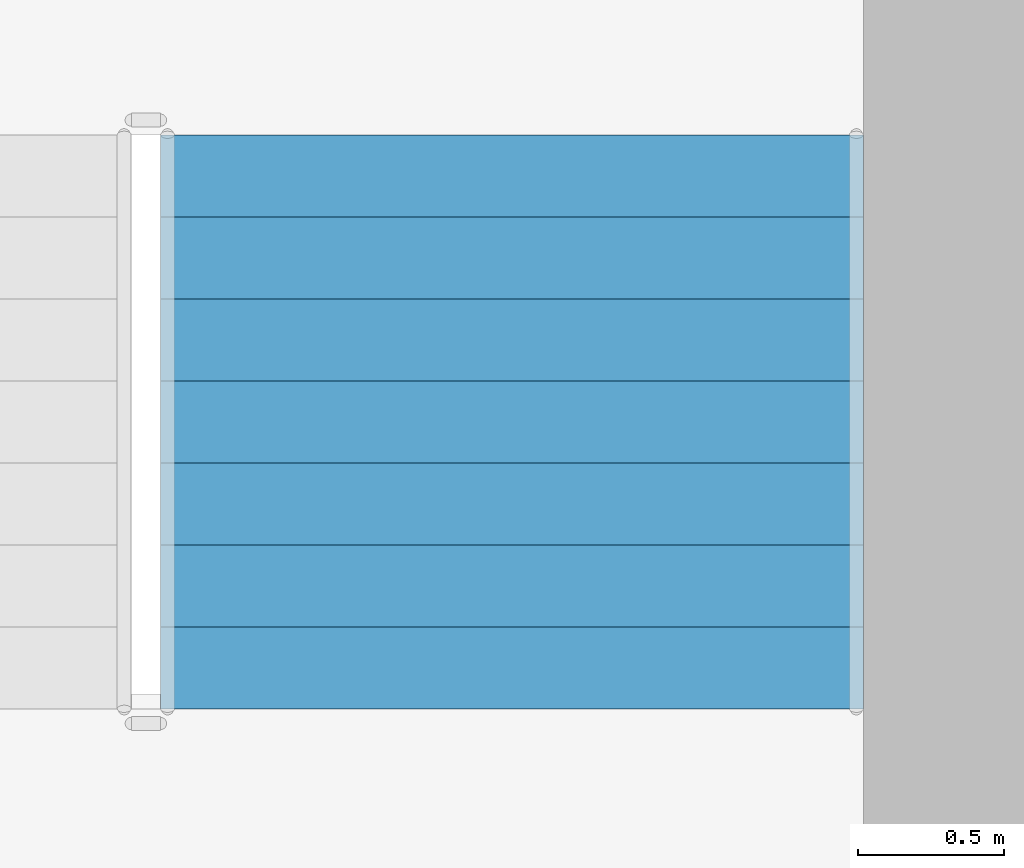
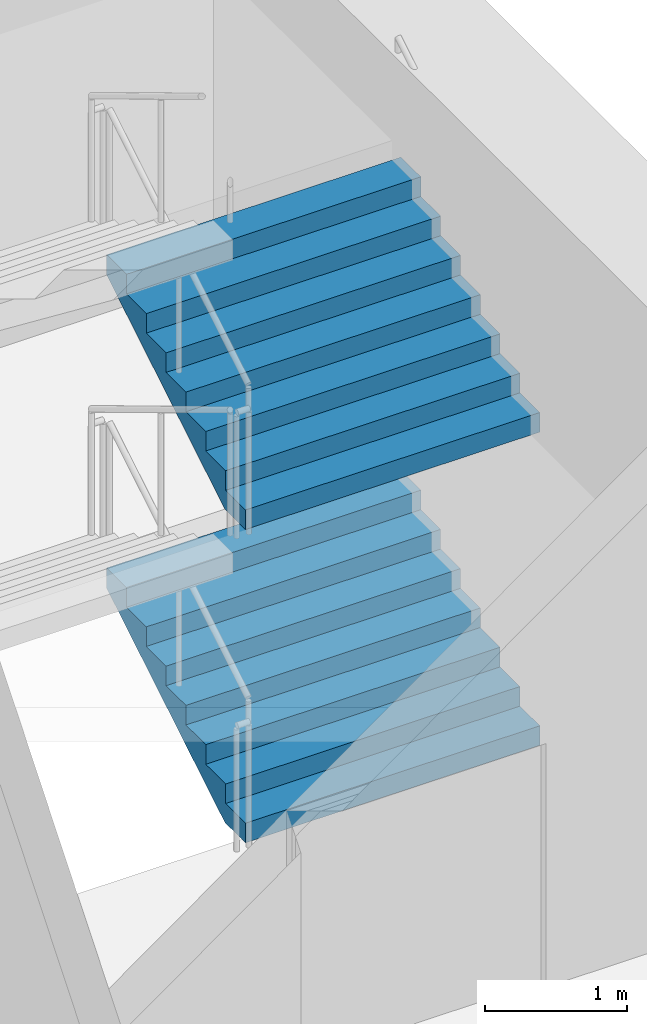
# One storey, part 72 of 101: 2 stair flights, 1 element without a shape of its own.
"""IFC4 building model written with IfcOpenShell, lengths in metres."""

from ifc_helpers import new_model, si_unit, direction, frame, origin, place, context, subcontext, project, spatial, triangles, material, type_object, element, aggregate, save


model = new_model("IFC4")

# Units and contexts
model_context = context("Model", 3, precision=1e-05, world=origin(), true_north=direction((0.0, 1.0)))
body_context = subcontext(model_context, "Body", "Model", "MODEL_VIEW")
ifc_project = project(units=[si_unit("LENGTHUNIT", "METRE"), si_unit("AREAUNIT", "SQUARE_METRE"), si_unit("VOLUMEUNIT", "CUBIC_METRE"), si_unit("PLANEANGLEUNIT", "RADIAN"), si_unit("MASSUNIT", "GRAM", prefix="KILO")], contexts=[model_context])

# Site, building, storey
site_placement = place(None, origin())
site = spatial("IfcSite", under=ifc_project, at=site_placement, CompositionType="ELEMENT")
building_placement = place(site_placement, origin())
building = spatial("IfcBuilding", under=site, at=building_placement, Name="Magnolia Steps Interchange", CompositionType="ELEMENT")
storey_placement = place(building_placement, frame((0.0, 0.0, -5.39990234375)))
storey = spatial("IfcBuildingStorey", under=building, at=storey_placement, Name="B1", CompositionType="ELEMENT", Elevation=-5.39990234375)

# Stair, stair flights
ifc_material_1 = material(Name="Concrete C40", Category="concrete")
stair_type = type_object("IfcStairType", Name="Exit stair 2400", PredefinedType="HALF_TURN_STAIR", material=ifc_material_1)
stair_placement = place(storey_placement, origin())
stair = element("IfcStair", 1, at=stair_placement, inside=storey, type_object=stair_type, Name="B1 Stair 16", PredefinedType="HALF_TURN_STAIR")
ifc_material_2 = material(Name="Concrete C40", Category="concrete")
stair_flight_type = type_object("IfcStairFlightType", Name="Exit stair flight", PredefinedType="STRAIGHT", material=ifc_material_2)
stair_flight_1_placement = place(storey_placement, frame((181.22509765625, 69.875, 0.0), z_axis=(0.0, 0.0, 1.0), x_axis=(0.0, 1.0, 0.0)))
stair_flight_1 = element("IfcStairFlight", 2, at=stair_flight_1_placement, type_object=stair_flight_type, Name="Stair 16 flight 1", NumberOfRisers=8, NumberOfTreads=7, PredefinedType="STRAIGHT", RiserHeight=0.16875, TreadLength=0.28, context=body_context, shape_type="Tessellation", body=[
    triangles([(0.0, -1.199951171875, 0.0), (0.29052734375, -1.199951171875, 0.0), (1.9599609375, -1.199951171875, 1.00634765625), (1.9599609375, -1.199951171875, 1.18115234375), (1.679931640625, -1.199951171875, 1.18115234375), (1.679931640625, -1.199951171875, 1.012451171875), (1.39990234375, -1.199951171875, 1.012451171875), (1.39990234375, -1.199951171875, 0.84375), (1.1201171875, -1.199951171875, 0.84375), (1.1201171875, -1.199951171875, 0.675048828125), (0.840087890625, -1.199951171875, 0.675048828125), (0.840087890625, -1.199951171875, 0.50634765625), (0.56005859375, -1.199951171875, 0.50634765625), (0.56005859375, -1.199951171875, 0.33740234375), (0.280029296875, -1.199951171875, 0.33740234375), (0.280029296875, -1.199951171875, 0.168701171875), (0.0, -1.199951171875, 0.168701171875), (0.0, 1.199951171875, 0.0), (0.29052734375, 1.199951171875, 0.0), (1.9599609375, 1.199951171875, 1.00634765625), (1.9599609375, 1.199951171875, 1.18115234375), (1.679931640625, 1.199951171875, 1.18115234375), (1.679931640625, 1.199951171875, 1.012451171875), (1.39990234375, 1.199951171875, 1.012451171875), (1.39990234375, 1.199951171875, 0.84375), (1.1201171875, 1.199951171875, 0.84375), (1.1201171875, 1.199951171875, 0.675048828125), (0.840087890625, 1.199951171875, 0.675048828125), (0.840087890625, 1.199951171875, 0.50634765625), (0.56005859375, 1.199951171875, 0.50634765625), (0.56005859375, 1.199951171875, 0.33740234375), (0.280029296875, 1.199951171875, 0.33740234375), (0.280029296875, 1.199951171875, 0.168701171875), (0.0, 1.199951171875, 0.168701171875), (0.0, 0.0, 0.0), (0.0, 0.0, 0.04217529296875), (0.0, 0.0, 0.0843505859375), (0.0, 0.0, 0.12652587890625), (0.0, 0.0, 0.168701171875), (0.0, -0.05, 0.0), (0.0, -0.05, 0.168701171875), (0.0, 0.05, 0.0), (0.0, 0.05, 0.168701171875), (0.046671549479166664, 0.0, 0.168701171875), (0.09334309895833333, 0.0, 0.168701171875), (0.1400146484375, 0.0, 0.168701171875), (0.18668619791666666, 0.0, 0.168701171875), (0.23335774739583334, 0.0, 0.168701171875), (0.280029296875, 0.0, 0.168701171875), (0.280029296875, -0.05, 0.168701171875), (0.280029296875, 0.05, 0.168701171875), (0.280029296875, 0.0, 0.21087646484375), (0.280029296875, 0.0, 0.2530517578125), (0.280029296875, 0.0, 0.29522705078125), (0.280029296875, 0.0, 0.33740234375), (0.280029296875, -0.05, 0.33740234375), (0.280029296875, 0.05, 0.33740234375), (0.3267008463541667, 0.0, 0.33740234375), (0.3733723958333333, 0.0, 0.33740234375), (0.4200439453125, 0.0, 0.33740234375), (0.46671549479166663, 0.0, 0.33740234375), (0.5133870442708334, 0.0, 0.33740234375), (0.56005859375, 0.0, 0.33740234375), (0.56005859375, -0.05, 0.33740234375), (0.56005859375, 0.05, 0.33740234375), (0.56005859375, 0.0, 0.379638671875), (0.56005859375, 0.0, 0.421875), (0.56005859375, 0.0, 0.464111328125), (0.56005859375, 0.0, 0.50634765625), (0.56005859375, -0.05, 0.50634765625), (0.56005859375, 0.05, 0.50634765625), (0.6067301432291666, 0.0, 0.50634765625), (0.6534016927083334, 0.0, 0.50634765625), (0.7000732421875, 0.0, 0.50634765625), (0.7467447916666666, 0.0, 0.50634765625), (0.7934163411458334, 0.0, 0.50634765625), (0.840087890625, 0.0, 0.50634765625), (0.840087890625, -0.05, 0.50634765625), (0.840087890625, 0.05, 0.50634765625), (0.840087890625, 0.0, 0.54852294921875), (0.840087890625, 0.0, 0.5906982421875), (0.840087890625, 0.0, 0.63287353515625), (0.840087890625, 0.0, 0.675048828125), (0.840087890625, -0.05, 0.675048828125), (0.840087890625, 0.05, 0.675048828125), (0.8867594401041666, 0.0, 0.675048828125), (0.9334309895833334, 0.0, 0.675048828125), (0.9801025390625, 0.0, 0.675048828125), (1.0267740885416667, 0.0, 0.675048828125), (1.0734456380208333, 0.0, 0.675048828125), (1.1201171875, 0.0, 0.675048828125), (1.1201171875, -0.05, 0.675048828125), (1.1201171875, 0.05, 0.675048828125), (1.1201171875, 0.0, 0.71722412109375), (1.1201171875, 0.0, 0.7593994140625), (1.1201171875, 0.0, 0.80157470703125), (1.1201171875, 0.0, 0.84375), (1.1201171875, -0.05, 0.84375), (1.1201171875, 0.05, 0.84375), (1.1900634765625, 0.0, 0.84375), (1.260009765625, 0.0, 0.84375), (1.3299560546875, 0.0, 0.84375), (1.39990234375, 0.0, 0.84375), (1.39990234375, -0.05, 0.84375), (1.39990234375, 0.05, 0.84375), (1.39990234375, 0.0, 0.88592529296875), (1.39990234375, 0.0, 0.9281005859375), (1.39990234375, 0.0, 0.97027587890625), (1.39990234375, 0.0, 1.012451171875), (1.39990234375, -0.05, 1.012451171875), (1.39990234375, 0.05, 1.012451171875), (1.4465738932291667, 0.0, 1.012451171875), (1.4932454427083333, 0.0, 1.012451171875), (1.5399169921875, 0.0, 1.012451171875), (1.5865885416666667, 0.0, 1.012451171875), (1.6332600911458333, 0.0, 1.012451171875), (1.679931640625, 0.0, 1.012451171875), (1.679931640625, -0.05, 1.012451171875), (1.679931640625, 0.05, 1.012451171875), (1.679931640625, 0.0, 1.05462646484375), (1.679931640625, 0.0, 1.0968017578125), (1.679931640625, 0.0, 1.13897705078125), (1.679931640625, 0.0, 1.18115234375), (1.679931640625, -0.05, 1.18115234375), (1.679931640625, 0.05, 1.18115234375), (1.7266031901041667, 0.0, 1.18115234375), (1.7732747395833333, 0.0, 1.18115234375), (1.8199462890625, 0.0, 1.18115234375), (1.8666178385416667, 0.0, 1.18115234375), (1.9132893880208333, 0.0, 1.18115234375), (1.9599609375, 0.0, 1.18115234375), (1.9599609375, -0.05, 1.18115234375), (1.9599609375, 0.05, 1.18115234375), (1.9599609375, 0.0, 1.137451171875), (1.9599609375, 0.0, 1.09375), (1.9599609375, 0.0, 1.050048828125), (1.9599609375, 0.0, 1.00634765625), (1.9599609375, -0.05, 1.00634765625), (1.9599609375, 0.05, 1.00634765625), (1.9003383091517858, 0.0, 0.9704066685267857), (1.8407156808035714, 0.0, 0.9344656808035714), (1.7810930524553572, 0.0, 0.8985246930803571), (1.7214704241071428, 0.0, 0.8625837053571428), (1.6618477957589286, 0.0, 0.8266427176339286), (1.6022251674107144, 0.0, 0.7907017299107143), (1.5426025390625, 0.0, 0.7547607421875), (1.4829799107142856, 0.0, 0.7188197544642857), (1.4233572823660714, 0.0, 0.6828787667410714), (1.3637346540178572, 0.0, 0.6469377790178572), (1.3041120256696428, 0.0, 0.6109967912946428), (1.2444893973214286, 0.0, 0.5750558035714286), (1.1848667689732144, 0.0, 0.5391148158482143), (1.125244140625, 0.0, 0.503173828125), (1.0656215122767856, 0.0, 0.4672328404017857), (1.0059988839285714, 0.0, 0.4312918526785714), (0.9463762555803572, 0.0, 0.3953508649553571), (0.8867536272321428, 0.0, 0.3594098772321429), (0.8271309988839286, 0.0, 0.3234688895089286), (0.7675083705357142, 0.0, 0.2875279017857143), (0.7078857421875, 0.0, 0.2515869140625), (0.6482631138392858, 0.0, 0.2156459263392857), (0.5886404854910714, 0.0, 0.1797049386160714), (0.5290178571428572, 0.0, 0.1437639508928571), (0.4693952287946428, 0.0, 0.1078229631696429), (0.4097726004464286, 0.0, 0.0718819754464286), (0.3501499720982142, 0.0, 0.0359409877232143), (0.29052734375, 0.0, 0.0), (0.29052734375, -0.05, 0.0), (0.29052734375, 0.05, 0.0), (0.24210611979166666, 0.0, 0.0), (0.19368489583333331, 0.0, 0.0), (0.145263671875, 0.0, 0.0), (0.09684244791666666, 0.0, 0.0), (0.04842122395833334, 0.0, 0.0)], [[1, 2, 3], [3, 4, 5], [3, 5, 6], [3, 6, 7], [3, 7, 8], [8, 9, 10], [3, 8, 10], [10, 11, 12], [3, 10, 12], [12, 13, 14], [3, 12, 14], [14, 15, 16], [3, 14, 16], [1, 3, 16], [16, 17, 1], [18, 20, 19], [20, 22, 21], [20, 23, 22], [20, 24, 23], [20, 25, 24], [25, 27, 26], [20, 27, 25], [27, 29, 28], [20, 29, 27], [29, 31, 30], [20, 31, 29], [31, 33, 32], [20, 33, 31], [18, 33, 20], [33, 18, 34], [1, 17, 41], [1, 41, 40], [40, 36, 35], [40, 37, 36], [40, 41, 37], [41, 38, 37], [41, 39, 38], [18, 43, 34], [18, 42, 43], [42, 35, 36], [42, 36, 37], [42, 37, 43], [43, 37, 38], [43, 38, 39], [17, 16, 50], [17, 50, 41], [41, 44, 39], [41, 45, 44], [41, 46, 45], [41, 50, 46], [50, 47, 46], [50, 48, 47], [50, 49, 48], [34, 51, 33], [34, 43, 51], [43, 39, 44], [43, 44, 45], [43, 45, 46], [43, 46, 51], [51, 46, 47], [51, 47, 48], [51, 48, 49], [16, 15, 56], [16, 56, 50], [50, 52, 49], [50, 53, 52], [50, 56, 53], [56, 54, 53], [56, 55, 54], [33, 57, 32], [33, 51, 57], [51, 49, 52], [51, 52, 53], [51, 53, 57], [57, 53, 54], [57, 54, 55], [15, 14, 64], [15, 64, 56], [56, 58, 55], [56, 59, 58], [56, 60, 59], [56, 64, 60], [64, 61, 60], [64, 62, 61], [64, 63, 62], [32, 65, 31], [32, 57, 65], [57, 55, 58], [57, 58, 59], [57, 59, 60], [57, 60, 65], [65, 60, 61], [65, 61, 62], [65, 62, 63], [14, 13, 70], [14, 70, 64], [64, 66, 63], [64, 67, 66], [64, 70, 67], [70, 68, 67], [70, 69, 68], [31, 71, 30], [31, 65, 71], [65, 63, 66], [65, 66, 67], [65, 67, 71], [71, 67, 68], [71, 68, 69], [13, 12, 78], [13, 78, 70], [70, 72, 69], [70, 73, 72], [70, 74, 73], [70, 78, 74], [78, 75, 74], [78, 76, 75], [78, 77, 76], [30, 79, 29], [30, 71, 79], [71, 69, 72], [71, 72, 73], [71, 73, 74], [71, 74, 79], [79, 74, 75], [79, 75, 76], [79, 76, 77], [12, 11, 84], [12, 84, 78], [78, 80, 77], [78, 81, 80], [78, 84, 81], [84, 82, 81], [84, 83, 82], [29, 85, 28], [29, 79, 85], [79, 77, 80], [79, 80, 81], [79, 81, 85], [85, 81, 82], [85, 82, 83], [11, 10, 92], [11, 92, 84], [84, 86, 83], [84, 87, 86], [84, 88, 87], [84, 92, 88], [92, 89, 88], [92, 90, 89], [92, 91, 90], [28, 93, 27], [28, 85, 93], [85, 83, 86], [85, 86, 87], [85, 87, 88], [85, 88, 93], [93, 88, 89], [93, 89, 90], [93, 90, 91], [10, 9, 98], [10, 98, 92], [92, 94, 91], [92, 95, 94], [92, 98, 95], [98, 96, 95], [98, 97, 96], [27, 99, 26], [27, 93, 99], [93, 91, 94], [93, 94, 95], [93, 95, 99], [99, 95, 96], [99, 96, 97], [9, 8, 104], [9, 104, 98], [98, 100, 97], [98, 101, 100], [98, 104, 101], [104, 102, 101], [104, 103, 102], [26, 105, 25], [26, 99, 105], [99, 97, 100], [99, 100, 101], [99, 101, 105], [105, 101, 102], [105, 102, 103], [8, 7, 110], [8, 110, 104], [104, 106, 103], [104, 107, 106], [104, 110, 107], [110, 108, 107], [110, 109, 108], [25, 111, 24], [25, 105, 111], [105, 103, 106], [105, 106, 107], [105, 107, 111], [111, 107, 108], [111, 108, 109], [7, 6, 118], [7, 118, 110], [110, 112, 109], [110, 113, 112], [110, 114, 113], [110, 118, 114], [118, 115, 114], [118, 116, 115], [118, 117, 116], [24, 119, 23], [24, 111, 119], [111, 109, 112], [111, 112, 113], [111, 113, 114], [111, 114, 119], [119, 114, 115], [119, 115, 116], [119, 116, 117], [6, 5, 124], [6, 124, 118], [118, 120, 117], [118, 121, 120], [118, 124, 121], [124, 122, 121], [124, 123, 122], [23, 125, 22], [23, 119, 125], [119, 117, 120], [119, 120, 121], [119, 121, 125], [125, 121, 122], [125, 122, 123], [5, 4, 132], [5, 132, 124], [124, 126, 123], [124, 127, 126], [124, 128, 127], [124, 132, 128], [132, 129, 128], [132, 130, 129], [132, 131, 130], [22, 133, 21], [22, 125, 133], [125, 123, 126], [125, 126, 127], [125, 127, 128], [125, 128, 133], [133, 128, 129], [133, 129, 130], [133, 130, 131], [4, 3, 138], [4, 138, 132], [132, 134, 131], [132, 135, 134], [132, 138, 135], [138, 136, 135], [138, 137, 136], [21, 139, 20], [21, 133, 139], [133, 131, 134], [133, 134, 135], [133, 135, 139], [139, 135, 136], [139, 136, 137], [3, 2, 168], [3, 168, 138], [138, 140, 137], [138, 141, 140], [138, 142, 141], [138, 143, 142], [138, 144, 143], [138, 145, 144], [138, 146, 145], [138, 147, 146], [138, 148, 147], [138, 149, 148], [138, 150, 149], [138, 151, 150], [138, 152, 151], [138, 153, 152], [138, 168, 153], [168, 154, 153], [168, 155, 154], [168, 156, 155], [168, 157, 156], [168, 158, 157], [168, 159, 158], [168, 160, 159], [168, 161, 160], [168, 162, 161], [168, 163, 162], [168, 164, 163], [168, 165, 164], [168, 166, 165], [168, 167, 166], [20, 169, 19], [20, 139, 169], [139, 137, 140], [139, 140, 141], [139, 141, 142], [139, 142, 143], [139, 143, 144], [139, 144, 145], [139, 145, 146], [139, 146, 147], [139, 147, 148], [139, 148, 149], [139, 149, 150], [139, 150, 151], [139, 151, 152], [139, 152, 153], [139, 153, 169], [169, 153, 154], [169, 154, 155], [169, 155, 156], [169, 156, 157], [169, 157, 158], [169, 158, 159], [169, 159, 160], [169, 160, 161], [169, 161, 162], [169, 162, 163], [169, 163, 164], [169, 164, 165], [169, 165, 166], [169, 166, 167], [2, 1, 40], [2, 40, 168], [168, 170, 167], [168, 171, 170], [168, 172, 171], [168, 40, 172], [40, 173, 172], [40, 174, 173], [40, 35, 174], [19, 42, 18], [19, 169, 42], [169, 167, 170], [169, 170, 171], [169, 171, 172], [169, 172, 42], [42, 172, 173], [42, 173, 174], [42, 174, 35]], closed=True),
])
stair_flight_2_placement = place(storey_placement, frame((181.22509765625, 69.875, 2.699951171875), z_axis=(0.0, 0.0, 1.0), x_axis=(0.0, 1.0, 0.0)))
stair_flight_2 = element("IfcStairFlight", 3, at=stair_flight_2_placement, type_object=stair_flight_type, Name="Stair 16 flight 3", NumberOfRisers=8, NumberOfTreads=7, PredefinedType="STRAIGHT", RiserHeight=0.16875, TreadLength=0.28, context=body_context, shape_type="Tessellation", body=[
    triangles([(0.0, -1.199951171875, 0.0), (0.29052734375, -1.199951171875, 0.0), (1.9599609375, -1.199951171875, 1.00634765625), (1.9599609375, -1.199951171875, 1.18115234375), (1.679931640625, -1.199951171875, 1.18115234375), (1.679931640625, -1.199951171875, 1.012451171875), (1.39990234375, -1.199951171875, 1.012451171875), (1.39990234375, -1.199951171875, 0.84375), (1.1201171875, -1.199951171875, 0.84375), (1.1201171875, -1.199951171875, 0.675048828125), (0.840087890625, -1.199951171875, 0.675048828125), (0.840087890625, -1.199951171875, 0.50634765625), (0.56005859375, -1.199951171875, 0.50634765625), (0.56005859375, -1.199951171875, 0.33740234375), (0.280029296875, -1.199951171875, 0.33740234375), (0.280029296875, -1.199951171875, 0.168701171875), (0.0, -1.199951171875, 0.168701171875), (0.0, 1.199951171875, 0.0), (0.29052734375, 1.199951171875, 0.0), (1.9599609375, 1.199951171875, 1.00634765625), (1.9599609375, 1.199951171875, 1.18115234375), (1.679931640625, 1.199951171875, 1.18115234375), (1.679931640625, 1.199951171875, 1.012451171875), (1.39990234375, 1.199951171875, 1.012451171875), (1.39990234375, 1.199951171875, 0.84375), (1.1201171875, 1.199951171875, 0.84375), (1.1201171875, 1.199951171875, 0.675048828125), (0.840087890625, 1.199951171875, 0.675048828125), (0.840087890625, 1.199951171875, 0.50634765625), (0.56005859375, 1.199951171875, 0.50634765625), (0.56005859375, 1.199951171875, 0.33740234375), (0.280029296875, 1.199951171875, 0.33740234375), (0.280029296875, 1.199951171875, 0.168701171875), (0.0, 1.199951171875, 0.168701171875), (0.0, 0.0, 0.0), (0.0, 0.0, 0.04217529296875), (0.0, 0.0, 0.0843505859375), (0.0, 0.0, 0.12652587890625), (0.0, 0.0, 0.168701171875), (0.0, -0.05, 0.0), (0.0, -0.05, 0.168701171875), (0.0, 0.05, 0.0), (0.0, 0.05, 0.168701171875), (0.046671549479166664, 0.0, 0.168701171875), (0.09334309895833333, 0.0, 0.168701171875), (0.1400146484375, 0.0, 0.168701171875), (0.18668619791666666, 0.0, 0.168701171875), (0.23335774739583334, 0.0, 0.168701171875), (0.280029296875, 0.0, 0.168701171875), (0.280029296875, -0.05, 0.168701171875), (0.280029296875, 0.05, 0.168701171875), (0.280029296875, 0.0, 0.21087646484375), (0.280029296875, 0.0, 0.2530517578125), (0.280029296875, 0.0, 0.29522705078125), (0.280029296875, 0.0, 0.33740234375), (0.280029296875, -0.05, 0.33740234375), (0.280029296875, 0.05, 0.33740234375), (0.3267008463541667, 0.0, 0.33740234375), (0.3733723958333333, 0.0, 0.33740234375), (0.4200439453125, 0.0, 0.33740234375), (0.46671549479166663, 0.0, 0.33740234375), (0.5133870442708334, 0.0, 0.33740234375), (0.56005859375, 0.0, 0.33740234375), (0.56005859375, -0.05, 0.33740234375), (0.56005859375, 0.05, 0.33740234375), (0.56005859375, 0.0, 0.379638671875), (0.56005859375, 0.0, 0.421875), (0.56005859375, 0.0, 0.464111328125), (0.56005859375, 0.0, 0.50634765625), (0.56005859375, -0.05, 0.50634765625), (0.56005859375, 0.05, 0.50634765625), (0.6067301432291666, 0.0, 0.50634765625), (0.6534016927083334, 0.0, 0.50634765625), (0.7000732421875, 0.0, 0.50634765625), (0.7467447916666666, 0.0, 0.50634765625), (0.7934163411458334, 0.0, 0.50634765625), (0.840087890625, 0.0, 0.50634765625), (0.840087890625, -0.05, 0.50634765625), (0.840087890625, 0.05, 0.50634765625), (0.840087890625, 0.0, 0.54852294921875), (0.840087890625, 0.0, 0.5906982421875), (0.840087890625, 0.0, 0.63287353515625), (0.840087890625, 0.0, 0.675048828125), (0.840087890625, -0.05, 0.675048828125), (0.840087890625, 0.05, 0.675048828125), (0.8867594401041666, 0.0, 0.675048828125), (0.9334309895833334, 0.0, 0.675048828125), (0.9801025390625, 0.0, 0.675048828125), (1.0267740885416667, 0.0, 0.675048828125), (1.0734456380208333, 0.0, 0.675048828125), (1.1201171875, 0.0, 0.675048828125), (1.1201171875, -0.05, 0.675048828125), (1.1201171875, 0.05, 0.675048828125), (1.1201171875, 0.0, 0.71722412109375), (1.1201171875, 0.0, 0.7593994140625), (1.1201171875, 0.0, 0.80157470703125), (1.1201171875, 0.0, 0.84375), (1.1201171875, -0.05, 0.84375), (1.1201171875, 0.05, 0.84375), (1.1900634765625, 0.0, 0.84375), (1.260009765625, 0.0, 0.84375), (1.3299560546875, 0.0, 0.84375), (1.39990234375, 0.0, 0.84375), (1.39990234375, -0.05, 0.84375), (1.39990234375, 0.05, 0.84375), (1.39990234375, 0.0, 0.88592529296875), (1.39990234375, 0.0, 0.9281005859375), (1.39990234375, 0.0, 0.97027587890625), (1.39990234375, 0.0, 1.012451171875), (1.39990234375, -0.05, 1.012451171875), (1.39990234375, 0.05, 1.012451171875), (1.4465738932291667, 0.0, 1.012451171875), (1.4932454427083333, 0.0, 1.012451171875), (1.5399169921875, 0.0, 1.012451171875), (1.5865885416666667, 0.0, 1.012451171875), (1.6332600911458333, 0.0, 1.012451171875), (1.679931640625, 0.0, 1.012451171875), (1.679931640625, -0.05, 1.012451171875), (1.679931640625, 0.05, 1.012451171875), (1.679931640625, 0.0, 1.05462646484375), (1.679931640625, 0.0, 1.0968017578125), (1.679931640625, 0.0, 1.13897705078125), (1.679931640625, 0.0, 1.18115234375), (1.679931640625, -0.05, 1.18115234375), (1.679931640625, 0.05, 1.18115234375), (1.7266031901041667, 0.0, 1.18115234375), (1.7732747395833333, 0.0, 1.18115234375), (1.8199462890625, 0.0, 1.18115234375), (1.8666178385416667, 0.0, 1.18115234375), (1.9132893880208333, 0.0, 1.18115234375), (1.9599609375, 0.0, 1.18115234375), (1.9599609375, -0.05, 1.18115234375), (1.9599609375, 0.05, 1.18115234375), (1.9599609375, 0.0, 1.137451171875), (1.9599609375, 0.0, 1.09375), (1.9599609375, 0.0, 1.050048828125), (1.9599609375, 0.0, 1.00634765625), (1.9599609375, -0.05, 1.00634765625), (1.9599609375, 0.05, 1.00634765625), (1.9003383091517858, 0.0, 0.9704066685267857), (1.8407156808035714, 0.0, 0.9344656808035714), (1.7810930524553572, 0.0, 0.8985246930803571), (1.7214704241071428, 0.0, 0.8625837053571428), (1.6618477957589286, 0.0, 0.8266427176339286), (1.6022251674107144, 0.0, 0.7907017299107143), (1.5426025390625, 0.0, 0.7547607421875), (1.4829799107142856, 0.0, 0.7188197544642857), (1.4233572823660714, 0.0, 0.6828787667410714), (1.3637346540178572, 0.0, 0.6469377790178572), (1.3041120256696428, 0.0, 0.6109967912946428), (1.2444893973214286, 0.0, 0.5750558035714286), (1.1848667689732144, 0.0, 0.5391148158482143), (1.125244140625, 0.0, 0.503173828125), (1.0656215122767856, 0.0, 0.4672328404017857), (1.0059988839285714, 0.0, 0.4312918526785714), (0.9463762555803572, 0.0, 0.3953508649553571), (0.8867536272321428, 0.0, 0.3594098772321429), (0.8271309988839286, 0.0, 0.3234688895089286), (0.7675083705357142, 0.0, 0.2875279017857143), (0.7078857421875, 0.0, 0.2515869140625), (0.6482631138392858, 0.0, 0.2156459263392857), (0.5886404854910714, 0.0, 0.1797049386160714), (0.5290178571428572, 0.0, 0.1437639508928571), (0.4693952287946428, 0.0, 0.1078229631696429), (0.4097726004464286, 0.0, 0.0718819754464286), (0.3501499720982142, 0.0, 0.0359409877232143), (0.29052734375, 0.0, 0.0), (0.29052734375, -0.05, 0.0), (0.29052734375, 0.05, 0.0), (0.24210611979166666, 0.0, 0.0), (0.19368489583333331, 0.0, 0.0), (0.145263671875, 0.0, 0.0), (0.09684244791666666, 0.0, 0.0), (0.04842122395833334, 0.0, 0.0)], [[1, 2, 3], [3, 4, 5], [3, 5, 6], [3, 6, 7], [3, 7, 8], [8, 9, 10], [3, 8, 10], [10, 11, 12], [3, 10, 12], [12, 13, 14], [3, 12, 14], [14, 15, 16], [3, 14, 16], [1, 3, 16], [16, 17, 1], [18, 20, 19], [20, 22, 21], [20, 23, 22], [20, 24, 23], [20, 25, 24], [25, 27, 26], [20, 27, 25], [27, 29, 28], [20, 29, 27], [29, 31, 30], [20, 31, 29], [31, 33, 32], [20, 33, 31], [18, 33, 20], [33, 18, 34], [1, 17, 41], [1, 41, 40], [40, 36, 35], [40, 37, 36], [40, 41, 37], [41, 38, 37], [41, 39, 38], [18, 43, 34], [18, 42, 43], [42, 35, 36], [42, 36, 37], [42, 37, 43], [43, 37, 38], [43, 38, 39], [17, 16, 50], [17, 50, 41], [41, 44, 39], [41, 45, 44], [41, 46, 45], [41, 50, 46], [50, 47, 46], [50, 48, 47], [50, 49, 48], [34, 51, 33], [34, 43, 51], [43, 39, 44], [43, 44, 45], [43, 45, 46], [43, 46, 51], [51, 46, 47], [51, 47, 48], [51, 48, 49], [16, 15, 56], [16, 56, 50], [50, 52, 49], [50, 53, 52], [50, 56, 53], [56, 54, 53], [56, 55, 54], [33, 57, 32], [33, 51, 57], [51, 49, 52], [51, 52, 53], [51, 53, 57], [57, 53, 54], [57, 54, 55], [15, 14, 64], [15, 64, 56], [56, 58, 55], [56, 59, 58], [56, 60, 59], [56, 64, 60], [64, 61, 60], [64, 62, 61], [64, 63, 62], [32, 65, 31], [32, 57, 65], [57, 55, 58], [57, 58, 59], [57, 59, 60], [57, 60, 65], [65, 60, 61], [65, 61, 62], [65, 62, 63], [14, 13, 70], [14, 70, 64], [64, 66, 63], [64, 67, 66], [64, 70, 67], [70, 68, 67], [70, 69, 68], [31, 71, 30], [31, 65, 71], [65, 63, 66], [65, 66, 67], [65, 67, 71], [71, 67, 68], [71, 68, 69], [13, 12, 78], [13, 78, 70], [70, 72, 69], [70, 73, 72], [70, 74, 73], [70, 78, 74], [78, 75, 74], [78, 76, 75], [78, 77, 76], [30, 79, 29], [30, 71, 79], [71, 69, 72], [71, 72, 73], [71, 73, 74], [71, 74, 79], [79, 74, 75], [79, 75, 76], [79, 76, 77], [12, 11, 84], [12, 84, 78], [78, 80, 77], [78, 81, 80], [78, 84, 81], [84, 82, 81], [84, 83, 82], [29, 85, 28], [29, 79, 85], [79, 77, 80], [79, 80, 81], [79, 81, 85], [85, 81, 82], [85, 82, 83], [11, 10, 92], [11, 92, 84], [84, 86, 83], [84, 87, 86], [84, 88, 87], [84, 92, 88], [92, 89, 88], [92, 90, 89], [92, 91, 90], [28, 93, 27], [28, 85, 93], [85, 83, 86], [85, 86, 87], [85, 87, 88], [85, 88, 93], [93, 88, 89], [93, 89, 90], [93, 90, 91], [10, 9, 98], [10, 98, 92], [92, 94, 91], [92, 95, 94], [92, 98, 95], [98, 96, 95], [98, 97, 96], [27, 99, 26], [27, 93, 99], [93, 91, 94], [93, 94, 95], [93, 95, 99], [99, 95, 96], [99, 96, 97], [9, 8, 104], [9, 104, 98], [98, 100, 97], [98, 101, 100], [98, 104, 101], [104, 102, 101], [104, 103, 102], [26, 105, 25], [26, 99, 105], [99, 97, 100], [99, 100, 101], [99, 101, 105], [105, 101, 102], [105, 102, 103], [8, 7, 110], [8, 110, 104], [104, 106, 103], [104, 107, 106], [104, 110, 107], [110, 108, 107], [110, 109, 108], [25, 111, 24], [25, 105, 111], [105, 103, 106], [105, 106, 107], [105, 107, 111], [111, 107, 108], [111, 108, 109], [7, 6, 118], [7, 118, 110], [110, 112, 109], [110, 113, 112], [110, 114, 113], [110, 118, 114], [118, 115, 114], [118, 116, 115], [118, 117, 116], [24, 119, 23], [24, 111, 119], [111, 109, 112], [111, 112, 113], [111, 113, 114], [111, 114, 119], [119, 114, 115], [119, 115, 116], [119, 116, 117], [6, 5, 124], [6, 124, 118], [118, 120, 117], [118, 121, 120], [118, 124, 121], [124, 122, 121], [124, 123, 122], [23, 125, 22], [23, 119, 125], [119, 117, 120], [119, 120, 121], [119, 121, 125], [125, 121, 122], [125, 122, 123], [5, 4, 132], [5, 132, 124], [124, 126, 123], [124, 127, 126], [124, 128, 127], [124, 132, 128], [132, 129, 128], [132, 130, 129], [132, 131, 130], [22, 133, 21], [22, 125, 133], [125, 123, 126], [125, 126, 127], [125, 127, 128], [125, 128, 133], [133, 128, 129], [133, 129, 130], [133, 130, 131], [4, 3, 138], [4, 138, 132], [132, 134, 131], [132, 135, 134], [132, 138, 135], [138, 136, 135], [138, 137, 136], [21, 139, 20], [21, 133, 139], [133, 131, 134], [133, 134, 135], [133, 135, 139], [139, 135, 136], [139, 136, 137], [3, 2, 168], [3, 168, 138], [138, 140, 137], [138, 141, 140], [138, 142, 141], [138, 143, 142], [138, 144, 143], [138, 145, 144], [138, 146, 145], [138, 147, 146], [138, 148, 147], [138, 149, 148], [138, 150, 149], [138, 151, 150], [138, 152, 151], [138, 153, 152], [138, 168, 153], [168, 154, 153], [168, 155, 154], [168, 156, 155], [168, 157, 156], [168, 158, 157], [168, 159, 158], [168, 160, 159], [168, 161, 160], [168, 162, 161], [168, 163, 162], [168, 164, 163], [168, 165, 164], [168, 166, 165], [168, 167, 166], [20, 169, 19], [20, 139, 169], [139, 137, 140], [139, 140, 141], [139, 141, 142], [139, 142, 143], [139, 143, 144], [139, 144, 145], [139, 145, 146], [139, 146, 147], [139, 147, 148], [139, 148, 149], [139, 149, 150], [139, 150, 151], [139, 151, 152], [139, 152, 153], [139, 153, 169], [169, 153, 154], [169, 154, 155], [169, 155, 156], [169, 156, 157], [169, 157, 158], [169, 158, 159], [169, 159, 160], [169, 160, 161], [169, 161, 162], [169, 162, 163], [169, 163, 164], [169, 164, 165], [169, 165, 166], [169, 166, 167], [2, 1, 40], [2, 40, 168], [168, 170, 167], [168, 171, 170], [168, 172, 171], [168, 40, 172], [40, 173, 172], [40, 174, 173], [40, 35, 174], [19, 42, 18], [19, 169, 42], [169, 167, 170], [169, 170, 171], [169, 171, 172], [169, 172, 42], [42, 172, 173], [42, 173, 174], [42, 174, 35]], closed=True),
])
aggregate(stair, [stair_flight_1, stair_flight_2])

save(model, "model.ifc")
